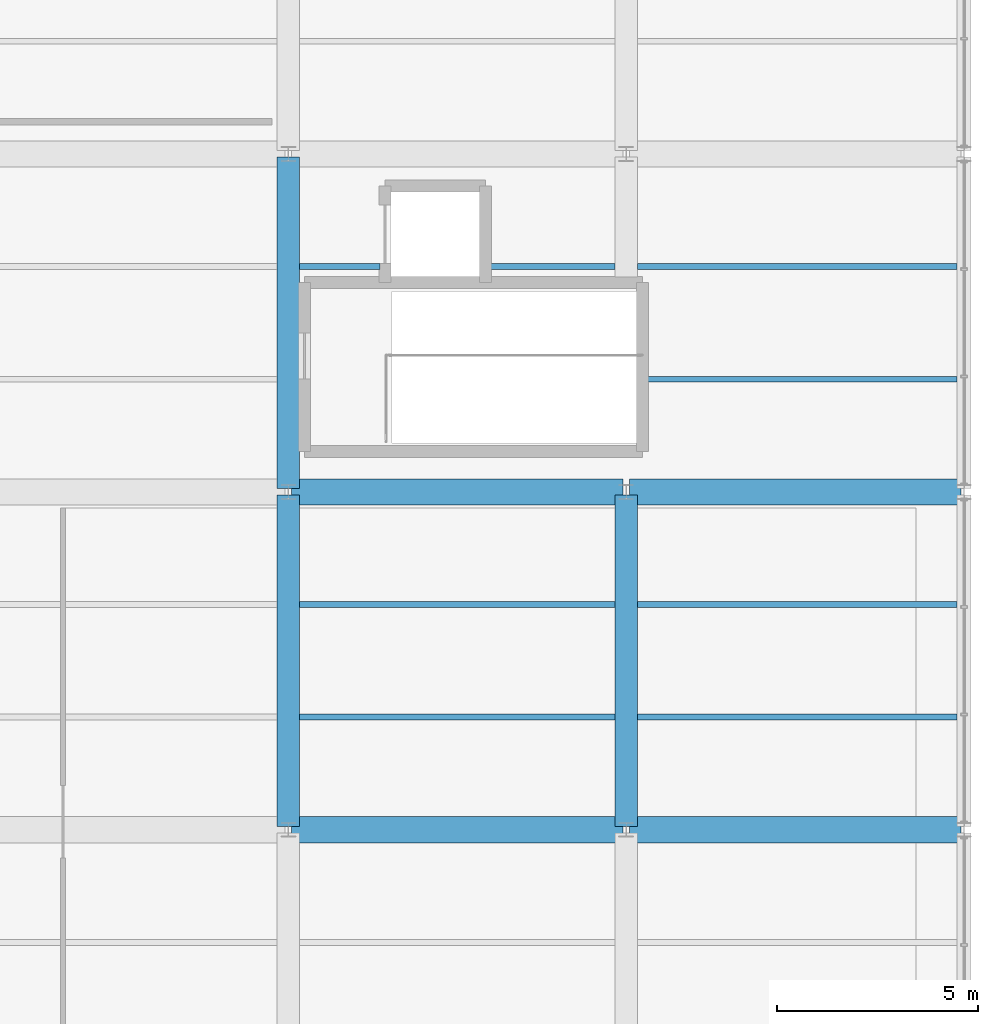
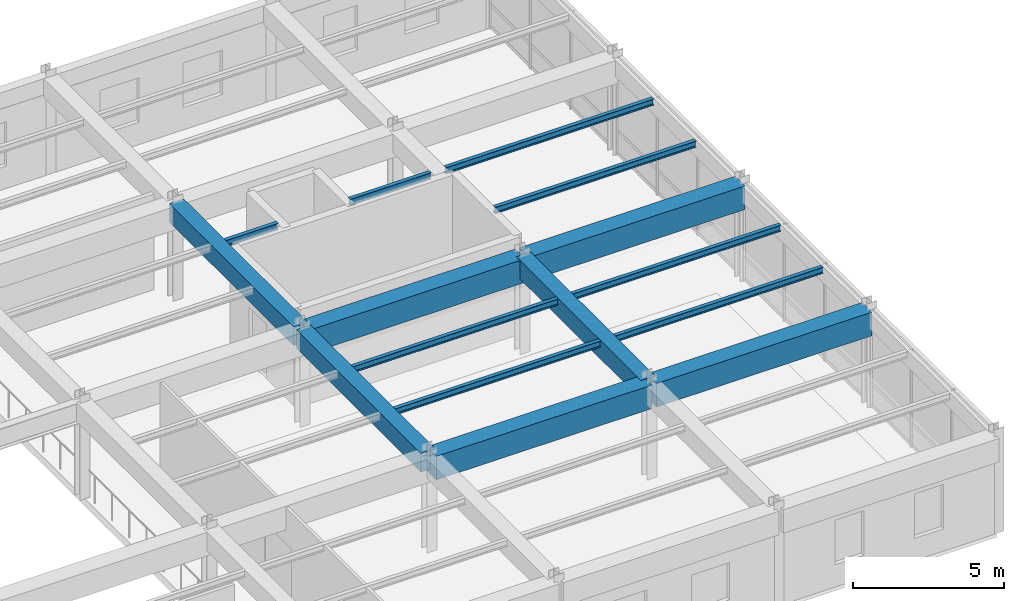
# One storey, part 79 of 138: 15 beams.
"""IFC4 building model written with IfcOpenShell, lengths in metres."""

import ifcopenshell
import ifcopenshell.guid

model = None  # the IFC model being written
_history = None  # IfcOwnerHistory: only IFC2X3 demands one
_inside = {}  # id of a spatial element -> (the spatial element, [elements in it])
_under = {}  # id of a project, library or spatial element -> (it, [spatial elements below it])
_declared = {}  # id of a project -> (the project, [libraries it declares])
_typed = {}  # id of a type object -> (the type object, [elements of that type])
_made_of = {}  # id of a material, layer set ... -> (it, [elements and type objects made of it])


def new_model(schema):
    """Start an empty IFC model of exactly this schema.

    Asked for "IFC4X3", IfcOpenShell would pick the latest addendum, in which some entities
    have other attributes; the version numbers below select the first issue.
    IFC2X3 requires an IfcOwnerHistory on every rooted entity: one is made here for all.
    """
    global model, _history
    if schema == "IFC4X3":
        model = ifcopenshell.file(schema_version=(4, 3, 0, 0))
    else:
        model = ifcopenshell.file(schema=schema)
    _inside.clear()
    _under.clear()
    _declared.clear()
    _typed.clear()
    _made_of.clear()
    _history = None
    if model.schema == "IFC2X3":
        org = make("IfcOrganization", Name="unknown")
        user = make(
            "IfcPersonAndOrganization",
            ThePerson=make("IfcPerson", FamilyName="unknown"),
            TheOrganization=org,
        )
        app = make(
            "IfcApplication",
            ApplicationDeveloper=org,
            Version="unknown",
            ApplicationFullName="unknown",
            ApplicationIdentifier="unknown",
        )
        _history = make(
            "IfcOwnerHistory",
            OwningUser=user,
            OwningApplication=app,
            ChangeAction="ADDED",
            CreationDate=0,
        )
    return model


def make(cls, **values):
    """One entity of the class cls with the attributes given. An attribute that is None is left unset."""
    return model.create_entity(
        cls, **{name: value for name, value in values.items() if value is not None}
    )


def rooted(cls, **values):
    """An entity with a GlobalId (a new one), such as an element, a storey or a relation."""
    return make(cls, GlobalId=ifcopenshell.guid.new(), OwnerHistory=_history, **values)


def si_unit(unit_type, name, prefix=None):
    """IfcSIUnit, for example si_unit("LENGTHUNIT", "METRE", prefix="MILLI")."""
    return make("IfcSIUnit", UnitType=unit_type, Prefix=prefix, Name=name)


def assignment(units):
    """IfcUnitAssignment: the units of a project."""
    return None if units is None else make("IfcUnitAssignment", Units=units)


def point(xyz):
    """IfcCartesianPoint."""
    return None if xyz is None else make("IfcCartesianPoint", Coordinates=xyz)


def direction(xyz):
    """IfcDirection."""
    return None if xyz is None else make("IfcDirection", DirectionRatios=xyz)


def frame(location, z_axis=None, x_axis=None):
    """IfcAxis2Placement3D, a coordinate frame: its origin and axes. An axis left out is left unset."""
    return make(
        "IfcAxis2Placement3D",
        Location=point(location),
        Axis=direction(z_axis),
        RefDirection=direction(x_axis),
    )


def frame_2d(location, x_axis=None):
    """IfcAxis2Placement2D, a coordinate frame in the plane: its origin and x axis."""
    return make(
        "IfcAxis2Placement2D", Location=point(location), RefDirection=direction(x_axis)
    )


def origin():
    """The frame at (0, 0, 0) with its axes left unset."""
    return frame((0.0, 0.0, 0.0))


def origin_2d():
    """The frame at (0, 0) in the plane with its x axis left unset."""
    return frame_2d((0.0, 0.0))


def place(relative_to, where):
    """IfcLocalPlacement: puts the frame where relative to a parent placement (None: the world)."""
    return make(
        "IfcLocalPlacement", PlacementRelTo=relative_to, RelativePlacement=where
    )


def context(
    kind, dimensions, precision=None, world=None, true_north=None, identifier=None
):
    """IfcGeometricRepresentationContext, for example the 3D "Model" context."""
    return make(
        "IfcGeometricRepresentationContext",
        ContextIdentifier=identifier,
        ContextType=kind,
        CoordinateSpaceDimension=dimensions,
        Precision=precision,
        WorldCoordinateSystem=world,
        TrueNorth=true_north,
    )


def subcontext(parent, identifier, kind, view, scale=None):
    """IfcGeometricRepresentationSubContext, for example "Body" below "Model"."""
    return make(
        "IfcGeometricRepresentationSubContext",
        ContextIdentifier=identifier,
        ContextType=kind,
        ParentContext=parent,
        TargetScale=scale,
        TargetView=view,
    )


def project(units=None, contexts=None):
    """IfcProject with its units and contexts."""
    return rooted(
        "IfcProject",
        Name="project",
        RepresentationContexts=contexts,
        UnitsInContext=assignment(units),
    )


def spatial(cls, under=None, at=None, **own):
    """A site, building, storey or space (cls), placed at a placement, below another one or the project."""
    s = rooted(cls, ObjectPlacement=at, **own)
    if under is not None:
        _under.setdefault(under.id(), (under, []))[1].append(s)
    return s


def profile(cls, at=None, kind="AREA", **sizes):
    """A parametric profile (cls). Its sizes go by their IFC names, for example OverallWidth=200.0."""
    return make(cls, ProfileType=kind, Position=at, **sizes)


def rectangle(**sizes):
    """IfcRectangleProfileDef."""
    return profile("IfcRectangleProfileDef", **sizes)


def i_section(**sizes):
    """IfcIShapeProfileDef."""
    return profile("IfcIShapeProfileDef", **sizes)


def extrude(swept, where, along, depth):
    """IfcExtrudedAreaSolid: the profile swept, set in the frame where, extruded along a direction by depth."""
    return make(
        "IfcExtrudedAreaSolid",
        SweptArea=swept,
        Position=where,
        ExtrudedDirection=direction(along),
        Depth=depth,
    )


def shape(context_of_items, identifier, shape_type, items):
    """IfcShapeRepresentation: the items that make up one representation, for example the "Body"."""
    return make(
        "IfcShapeRepresentation",
        ContextOfItems=context_of_items,
        RepresentationIdentifier=identifier,
        RepresentationType=shape_type,
        Items=items,
    )


def material(Name=None, Category=None):
    """IfcMaterial."""
    return make("IfcMaterial", Name=Name, Category=Category)


def material_profile(
    of_material, cross_section, Name=None, Category=None, Priority=None
):
    """IfcMaterialProfile: a cross section and its material."""
    return make(
        "IfcMaterialProfile",
        Name=Name,
        Material=of_material,
        Profile=cross_section,
        Priority=Priority,
        Category=Category,
    )


def profile_set(profiles, Name=None, composite=None):
    """IfcMaterialProfileSet."""
    return make(
        "IfcMaterialProfileSet",
        Name=Name,
        MaterialProfiles=profiles,
        CompositeProfile=composite,
    )


def made_of(thing, what):
    """Note that an element or type object is made of a material, layer set ...; save() writes the relation."""
    if what is not None:
        _made_of.setdefault(what.id(), (what, []))[1].append(thing)
    return thing


def type_object(cls, material=None, **own):
    """A type object (cls), such as IfcWallType, which elements share."""
    return made_of(rooted(cls, **own), material)


def element(
    cls,
    number,
    at=None,
    inside=None,
    cuts=None,
    type_object=None,
    material=None,
    context=None,
    identifier="Body",
    shape_type=None,
    held_by="IfcProductDefinitionShape",
    body=None,
    shapes=None,
    **own,
):
    """One element of the class cls, such as IfcWall. Its Tag is "e" and its number.

    at: its placement. inside: the storey or other place that contains it. cuts: it is an
    opening in that element (IfcRelVoidsElement). A single representation is given by context,
    identifier, shape_type and body (its items); several are given by shapes. held_by: the class
    of the entity that holds the representations. save() writes the other relations.
    """
    e = rooted(cls, Tag="e%d" % number, ObjectPlacement=at, **own)
    if body is not None:
        shapes = [shape(context, identifier, shape_type, body)]
    if shapes is not None:
        e.Representation = make(held_by, Representations=shapes)
    if inside is not None:
        _inside.setdefault(inside.id(), (inside, []))[1].append(e)
    if cuts is not None:
        rooted(
            "IfcRelVoidsElement", RelatingBuildingElement=cuts, RelatedOpeningElement=e
        )
    if type_object is not None:
        _typed.setdefault(type_object.id(), (type_object, []))[1].append(e)
    return made_of(e, material)


def aggregate(whole, parts):
    """IfcRelAggregates: a whole, such as a stair, and the parts it consists of."""
    return rooted("IfcRelAggregates", RelatingObject=whole, RelatedObjects=parts)


def save(model, path):
    """Write the relations noted so far, then the file.

    IfcRelAggregates (storeys below a building ...), IfcRelContainedInSpatialStructure (elements
    in a storey), IfcRelDefinesByType, IfcRelAssociatesMaterial and IfcRelDeclares: one each for
    every whole, place, type object, material and project.
    """
    for whole, parts in _under.values():
        aggregate(whole, parts)
    for where, things in _inside.values():
        rooted(
            "IfcRelContainedInSpatialStructure",
            RelatedElements=things,
            RelatingStructure=where,
        )
    for kind, things in _typed.values():
        rooted("IfcRelDefinesByType", RelatedObjects=things, RelatingType=kind)
    for what, things in _made_of.values():
        rooted("IfcRelAssociatesMaterial", RelatedObjects=things, RelatingMaterial=what)
    for by, libraries in _declared.values():
        rooted("IfcRelDeclares", RelatingContext=by, RelatedDefinitions=libraries)
    model.write(path)


model = new_model("IFC4")

# Units and contexts
model_context = context("Model", 3, precision=1e-05, world=origin(), true_north=direction((0.0, 1.0)))
body_context = subcontext(model_context, "Body", "Model", "MODEL_VIEW")
ifc_project = project(units=[si_unit("LENGTHUNIT", "METRE"), si_unit("AREAUNIT", "SQUARE_METRE"), si_unit("VOLUMEUNIT", "CUBIC_METRE"), si_unit("PLANEANGLEUNIT", "RADIAN"), si_unit("MASSUNIT", "GRAM", prefix="KILO"), si_unit("THERMODYNAMICTEMPERATUREUNIT", "KELVIN"), si_unit("POWERUNIT", "WATT")], contexts=[model_context])

# Site, building, storey
site_placement = place(None, origin())
site = spatial("IfcSite", under=ifc_project, at=site_placement, CompositionType="ELEMENT")
building_placement = place(site_placement, origin())
building = spatial("IfcBuilding", under=site, at=building_placement, Name="Darbajah Civic Hall", CompositionType="ELEMENT")
storey_placement = place(building_placement, frame((0.0, 0.0, 9.60009765625)))
storey = spatial("IfcBuildingStorey", under=building, at=storey_placement, Name="L02", CompositionType="ELEMENT", Elevation=9.60009765625)

# Beams
ifc_material_1 = material(Name="Concrete C45/55", Category="concrete")
ifc_material_profile_1 = material_profile(ifc_material_1, rectangle(XDim=0.550048828125, YDim=0.75, at=origin_2d()), Name="RC BEAM 550x750")
ifc_profile_set_1 = profile_set([ifc_material_profile_1], Name="Concrete C45/55")
beam_type_1 = type_object("IfcBeamType", Name="RC BEAM 550x750", PredefinedType="BEAM", material=ifc_profile_set_1)
beam_1_placement = place(storey_placement, frame((161.39990234375, 16.8798828125, 3.544921875), z_axis=(0.0, 1.0, 0.0), x_axis=(-1.0, 0.0, 0.0)))
element("IfcBeam", 1, at=beam_1_placement, inside=storey, type_object=beam_type_1, Name="L02 beam BM-5575", PredefinedType="BEAM", context=body_context, shape_type="SweptSolid", body=[
    extrude(rectangle(XDim=0.550048828125, YDim=0.75, at=origin_2d()), origin(), (0.0, 0.0, 1.0), 8.240234375),
])
beam_2_placement = place(storey_placement, frame((161.39990234375, 25.280029296875, 3.544921875), z_axis=(0.0, 1.0, 0.0), x_axis=(-1.0, 0.0, 0.0)))
element("IfcBeam", 2, at=beam_2_placement, inside=storey, type_object=beam_type_1, Name="L02 beam BM-5575", PredefinedType="BEAM", context=body_context, shape_type="SweptSolid", body=[
    extrude(rectangle(XDim=0.550048828125, YDim=0.75, at=origin_2d()), origin(), (0.0, 0.0, 1.0), 8.239990234375),
])
beam_3_placement = place(storey_placement, frame((169.800048828125, 16.8798828125, 3.544921875), z_axis=(0.0, 1.0, 0.0), x_axis=(-1.0, 0.0, 0.0)))
element("IfcBeam", 3, at=beam_3_placement, inside=storey, type_object=beam_type_1, Name="L02 beam BM-5575", PredefinedType="BEAM", context=body_context, shape_type="SweptSolid", body=[
    extrude(rectangle(XDim=0.550048828125, YDim=0.75, at=origin_2d()), origin(), (0.0, 0.0, 1.0), 8.240234375),
])
ifc_material_2 = material(Name="Concrete C50/60", Category="concrete")
ifc_material_profile_2 = material_profile(ifc_material_2, rectangle(XDim=0.64990234375, YDim=0.949951171875, at=origin_2d()), Name="RC GIRDER 650x950")
ifc_profile_set_2 = profile_set([ifc_material_profile_2], Name="Concrete C50/60")
beam_type_2 = type_object("IfcBeamType", Name="RC GIRDER 650x950", PredefinedType="BEAM", material=ifc_profile_set_2)
beam_4_placement = place(storey_placement, frame((161.47998046875, 16.800048828125, 3.44482421875), z_axis=(1.0, 0.0, 0.0), x_axis=(0.0, 1.0, 0.0)))
element("IfcBeam", 4, at=beam_4_placement, inside=storey, type_object=beam_type_2, Name="L02 beam BG-6595", PredefinedType="BEAM", context=body_context, shape_type="SweptSolid", body=[
    extrude(rectangle(XDim=0.64990234375, YDim=0.949951171875, at=origin_2d()), origin(), (0.0, 0.0, 1.0), 8.239990234375),
])
beam_5_placement = place(storey_placement, frame((169.8798828125, 16.800048828125, 3.44482421875), z_axis=(1.0, 0.0, 0.0), x_axis=(0.0, 1.0, 0.0)))
element("IfcBeam", 5, at=beam_5_placement, inside=storey, type_object=beam_type_2, Name="L02 beam BG-6595", PredefinedType="BEAM", context=body_context, shape_type="SweptSolid", body=[
    extrude(rectangle(XDim=0.64990234375, YDim=0.949951171875, at=origin_2d()), origin(), (0.0, 0.0, 1.0), 8.240234375),
])
beam_6_placement = place(storey_placement, frame((161.47998046875, 25.199951171875, 3.44482421875), z_axis=(1.0, 0.0, 0.0), x_axis=(0.0, 1.0, 0.0)))
element("IfcBeam", 6, at=beam_6_placement, inside=storey, type_object=beam_type_2, Name="L02 beam BG-6595", PredefinedType="BEAM", context=body_context, shape_type="SweptSolid", body=[
    extrude(rectangle(XDim=0.64990234375, YDim=0.949951171875, at=origin_2d()), origin(), (0.0, 0.0, 1.0), 8.239990234375),
])
beam_7_placement = place(storey_placement, frame((169.8798828125, 25.199951171875, 3.44482421875), z_axis=(1.0, 0.0, 0.0), x_axis=(0.0, 1.0, 0.0)))
element("IfcBeam", 7, at=beam_7_placement, inside=storey, type_object=beam_type_2, Name="L02 beam BG-6595", PredefinedType="BEAM", context=body_context, shape_type="SweptSolid", body=[
    extrude(rectangle(XDim=0.64990234375, YDim=0.949951171875, at=origin_2d()), origin(), (0.0, 0.0, 1.0), 8.240234375),
])
ifc_material_3 = material(Name="Steel S355JR", Category="steel")
ifc_material_profile_3 = material_profile(ifc_material_3, i_section(OverallWidth=0.146484375, OverallDepth=0.256103515625, WebThickness=0.00634765625, FlangeThickness=0.010986328125, FilletRadius=0.007568359375, at=origin_2d()), Name="UB 254x146x37")
ifc_profile_set_3 = profile_set([ifc_material_profile_3], Name="Steel S355JR")
beam_type_3 = type_object("IfcBeamType", Name="UB 254x146x37", PredefinedType="JOIST", material=ifc_profile_set_3)
for number, where, z_axis, x_axis, name in (
    (8, (161.675048828125, 19.60009765625, 3.7919921875), (1.0, 0.0, 0.0), (0.0, 1.0, 0.0), "L02 beam SJ-254"),
    (9, (161.675048828125, 22.39990234375, 3.7919921875), (1.0, 0.0, 0.0), (0.0, 1.0, 0.0), "L02 beam SJ-254"),
):
    element("IfcBeam", number, at=place(storey_placement, frame(where, z_axis=z_axis, x_axis=x_axis)), inside=storey, type_object=beam_type_3, Name=name, PredefinedType="JOIST", context=body_context, shape_type="SweptSolid", body=[
        extrude(i_section(OverallWidth=0.146484375, OverallDepth=0.256103515625, WebThickness=0.00634765625, FlangeThickness=0.010986328125, FilletRadius=0.007568359375, at=origin_2d()), origin(), (0.0, 0.0, 1.0), 7.849853515625),
    ])
beam_8_placement = place(storey_placement, frame((161.675048828125, 30.800048828125, 3.7919921875), z_axis=(1.0, 0.0, 0.0), x_axis=(0.0, 1.0, 0.0)))
element("IfcBeam", 10, at=beam_8_placement, inside=storey, type_object=beam_type_3, Name="L02 beam SJ-254", PredefinedType="JOIST", context=body_context, shape_type="SweptSolid", body=[
    extrude(i_section(OverallWidth=0.146484375, OverallDepth=0.256103515625, WebThickness=0.00634765625, FlangeThickness=0.010986328125, FilletRadius=0.007568359375, at=origin_2d()), origin(), (0.0, 0.0, 1.0), 2.0048828125),
])
beam_9_placement = place(storey_placement, frame((166.419921875, 30.800048828125, 3.7919921875), z_axis=(1.0, 0.0, 0.0), x_axis=(0.0, 1.0, 0.0)))
element("IfcBeam", 11, at=beam_9_placement, inside=storey, type_object=beam_type_3, Name="L02 beam SJ-254", PredefinedType="JOIST", context=body_context, shape_type="SweptSolid", body=[
    extrude(i_section(OverallWidth=0.146484375, OverallDepth=0.256103515625, WebThickness=0.00634765625, FlangeThickness=0.010986328125, FilletRadius=0.007568359375, at=origin_2d()), origin(), (0.0, 0.0, 1.0), 3.10498046875),
])
for number, where, z_axis, x_axis, name in (
    (12, (170.074951171875, 19.60009765625, 3.7919921875), (1.0, 0.0, 0.0), (0.0, 1.0, 0.0), "L02 beam SJ-254"),
    (13, (170.074951171875, 22.39990234375, 3.7919921875), (1.0, 0.0, 0.0), (0.0, 1.0, 0.0), "L02 beam SJ-254"),
):
    element("IfcBeam", number, at=place(storey_placement, frame(where, z_axis=z_axis, x_axis=x_axis)), inside=storey, type_object=beam_type_3, Name=name, PredefinedType="JOIST", context=body_context, shape_type="SweptSolid", body=[
        extrude(i_section(OverallWidth=0.146484375, OverallDepth=0.256103515625, WebThickness=0.00634765625, FlangeThickness=0.010986328125, FilletRadius=0.007568359375, at=origin_2d()), origin(), (0.0, 0.0, 1.0), 7.949951171875),
    ])
beam_10_placement = place(storey_placement, frame((170.340087890625, 28.0, 3.7919921875), z_axis=(1.0, 0.0, 0.0), x_axis=(0.0, 1.0, 0.0)))
element("IfcBeam", 14, at=beam_10_placement, inside=storey, type_object=beam_type_3, Name="L02 beam SJ-254", PredefinedType="JOIST", context=body_context, shape_type="SweptSolid", body=[
    extrude(i_section(OverallWidth=0.146484375, OverallDepth=0.256103515625, WebThickness=0.00634765625, FlangeThickness=0.010986328125, FilletRadius=0.007568359375, at=origin_2d()), origin(), (0.0, 0.0, 1.0), 7.684814453125),
])
beam_11_placement = place(storey_placement, frame((170.074951171875, 30.800048828125, 3.7919921875), z_axis=(1.0, 0.0, 0.0), x_axis=(0.0, 1.0, 0.0)))
element("IfcBeam", 15, at=beam_11_placement, inside=storey, type_object=beam_type_3, Name="L02 beam SJ-254", PredefinedType="JOIST", context=body_context, shape_type="SweptSolid", body=[
    extrude(i_section(OverallWidth=0.146484375, OverallDepth=0.256103515625, WebThickness=0.00634765625, FlangeThickness=0.010986328125, FilletRadius=0.007568359375, at=origin_2d()), origin(), (0.0, 0.0, 1.0), 7.949951171875),
])

save(model, "model.ifc")
